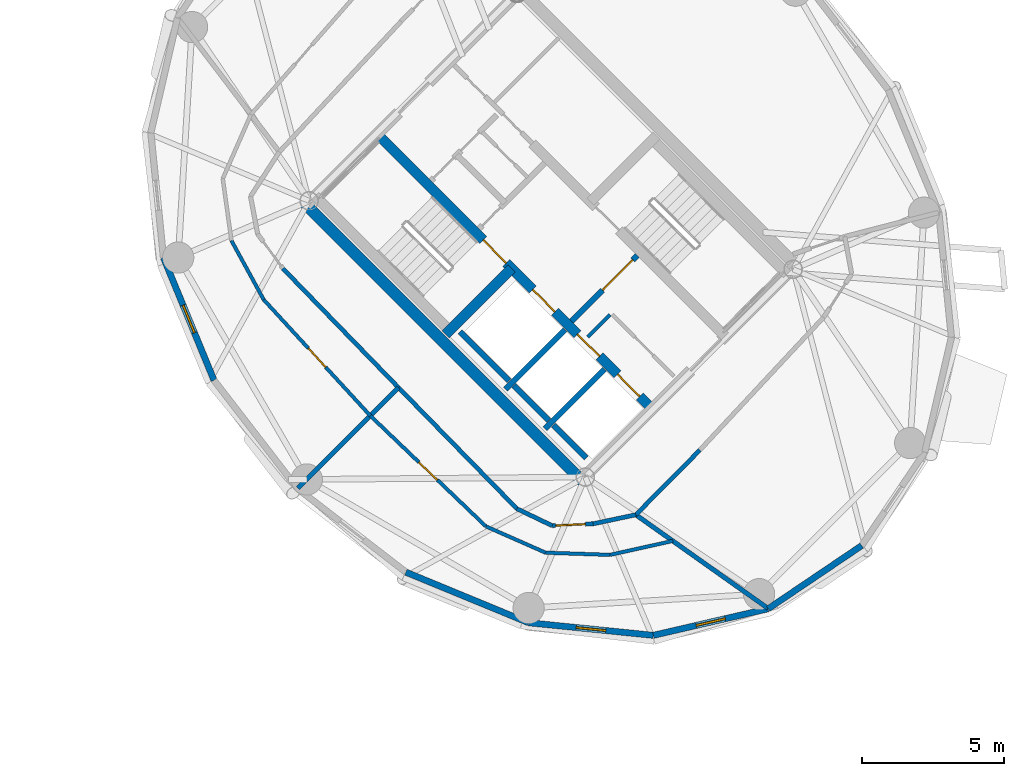
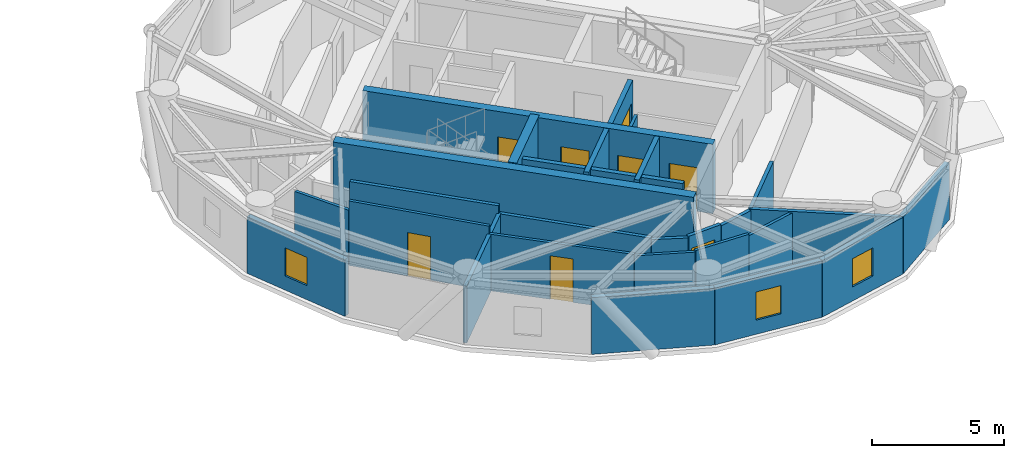
# One storey, part 11 of 17: 29 walls, 8 doors, 3 windows, 11 openings.
"""IFC4 building model written with IfcOpenShell, lengths in metres."""

from ifc_helpers import new_model, si_unit, direction, frame, frame_2d, origin, place, context, subcontext, project, spatial, rectangle, extrude, source, transform, mapped, material, layer, layer_set, type_object, element, fill, save


model = new_model("IFC4")

# Units and contexts
model_context = context("Model", 3, precision=1e-05, world=origin(), true_north=direction((0.0, 1.0)))
body_context = subcontext(model_context, "Body", "Model", "MODEL_VIEW")
ifc_project = project(units=[si_unit("LENGTHUNIT", "METRE"), si_unit("AREAUNIT", "SQUARE_METRE"), si_unit("VOLUMEUNIT", "CUBIC_METRE"), si_unit("PLANEANGLEUNIT", "RADIAN"), si_unit("MASSUNIT", "GRAM", prefix="KILO")], contexts=[model_context])

# Site, building, storey
site_placement = place(None, origin())
site = spatial("IfcSite", under=ifc_project, at=site_placement, CompositionType="ELEMENT")
building_placement = place(site_placement, origin())
building = spatial("IfcBuilding", under=site, at=building_placement, Name="Cununo Teusaquillo Station Towers", CompositionType="ELEMENT")
storey_placement = place(building_placement, frame((0.0, 0.0, 222.85009765625)))
storey = spatial("IfcBuildingStorey", under=building, at=storey_placement, Name="L71", CompositionType="ELEMENT", Elevation=222.85009765625)

# Walls
ifc_material_1 = material(Name="Concrete C50/60", Category="concrete")
ifc_layer_1 = layer(ifc_material_1, 0.199951171875)
ifc_layer_set_1 = layer_set([ifc_layer_1], Name="Concrete C50/60")
wall_type_1 = type_object("IfcWallType", Name="WL-CORE-200", PredefinedType="SHEAR", material=ifc_layer_set_1)
wall_1_placement = place(storey_placement, frame((55.8876953125, 19.0693359375, 0.0), z_axis=(0.0, 0.0, 1.0), x_axis=(0.707106781187, 0.707106781187, 0.0)))
element("IfcWall", 1, at=wall_1_placement, inside=storey, type_object=wall_type_1, Name="L71 Tower B Firefighting Lift Shaft South Shear Wall", PredefinedType="SHEAR", context=body_context, shape_type="SweptSolid", body=[
    extrude(rectangle(XDim=2.969970703125, YDim=0.199951171875, at=frame_2d((1.48486328125, 0.0))), origin(), (0.0, 0.0, 1.0), 3.199951171875),
])
wall_2_placement = place(storey_placement, frame((56.01513671875, 19.366455078125, 0.0), z_axis=(0.0, 0.0, 1.0), x_axis=(-0.707106781187, 0.707106781187, 0.0)))
element("IfcWall", 2, at=wall_2_placement, inside=storey, type_object=wall_type_1, Name="L71 Tower B Firefighting Lift Shaft Rear Shear Wall", PredefinedType="SHEAR", context=body_context, shape_type="SweptSolid", body=[
    extrude(rectangle(XDim=2.43994140625, YDim=0.199951171875, at=frame_2d((1.219970703125, 0.0))), origin(), (0.0, 0.0, 1.0), 3.199951171875),
])
wall_3_placement = place(storey_placement, frame((57.2841796875, 17.6728515625, 0.0), z_axis=(0.0, 0.0, 1.0), x_axis=(0.707147878904, 0.70706568108, 0.0)))
element("IfcWall", 3, at=wall_3_placement, inside=storey, type_object=wall_type_1, Name="L71 Tower B High-Rise Lift Hoistway Divider Shear Wall", PredefinedType="SHEAR", context=body_context, shape_type="SweptSolid", body=[
    extrude(rectangle(XDim=2.97021484375, YDim=0.199951171875, at=frame_2d((1.485107421875, 0.0))), origin(), (0.0, 0.0, 1.0), 3.199951171875),
])
wall_4_placement = place(storey_placement, frame((57.41162109375, 17.969970703125, 0.0), z_axis=(0.0, 0.0, 1.0), x_axis=(-0.707106781187, 0.707106781187, 0.0)))
element("IfcWall", 4, at=wall_4_placement, inside=storey, type_object=wall_type_1, Name="L71 Tower B High-Rise Lift 2 Shaft Rear Shear Wall", PredefinedType="SHEAR", context=body_context, shape_type="SweptSolid", body=[
    extrude(rectangle(XDim=1.73486328125, YDim=0.199951171875, at=frame_2d((0.867431640625, 0.0))), origin(), (0.0, 0.0, 1.0), 3.199951171875),
])
wall_5_placement = place(storey_placement, frame((58.7373046875, 16.64404296875, 0.0), z_axis=(0.0, 0.0, 1.0), x_axis=(-0.707032117043, 0.707181437447, 0.0)))
element("IfcWall", 5, at=wall_5_placement, inside=storey, type_object=wall_type_1, Name="L71 Tower B High-Rise Lift 1 Shaft Rear Shear Wall", PredefinedType="SHEAR", context=body_context, shape_type="SweptSolid", body=[
    extrude(rectangle(XDim=1.635009765625, YDim=0.199951171875, at=frame_2d((0.8173828125, 0.0))), origin(), (0.0, 0.0, 1.0), 3.199951171875),
])

# Wall, openings, doors
ifc_material_2 = material(Name="Concrete C50/60", Category="concrete")
ifc_layer_2 = layer(ifc_material_2, 0.35009765625)
ifc_layer_set_2 = layer_set([ifc_layer_2], Name="Concrete C50/60")
wall_type_2 = type_object("IfcWallType", Name="WL-CORE-350", PredefinedType="SHEAR", material=ifc_layer_set_2)
wall_6_placement = place(storey_placement, frame((61.060302734375, 18.372802734375, 0.0), z_axis=(0.0, 0.0, 1.0), x_axis=(-0.707106781187, 0.707106781187, 0.0)))
wall_6 = element("IfcWall", 6, at=wall_6_placement, inside=storey, type_object=wall_type_2, Name="L71 Tower B Core Shear Wall IW", PredefinedType="SHEAR", context=body_context, shape_type="SweptSolid", body=[
    extrude(rectangle(XDim=13.7001953125, YDim=0.35009765625, at=frame_2d((6.85009765625, 0.0))), origin(), (0.0, 0.0, 1.0), 3.199951171875),
])
shared_shape_1 = source(origin(), body_context, "Body", "SweptSolid", [
    extrude(rectangle(XDim=1.10009765625, YDim=2.014892578125, at=frame_2d((0.550048828125, 1.00732421875))), frame((0.0, 0.18505859375, 0.0), z_axis=(0.0, -1.0, 0.0), x_axis=(1.0, 0.0, 0.0)), (0.0, 0.0, 1.0), 0.3701171875),
])
opening_1_placement = place(wall_6_placement, frame((4.85009765625, 0.0, 0.0)))
opening_1 = element("IfcOpeningElement", 7, at=opening_1_placement, cuts=wall_6, Name="Opening LD-01", PredefinedType="OPENING", context=body_context, shape_type="MappedRepresentation", body=[
    mapped(shared_shape_1, transform((0.0, 0.0, 0.0), x_axis=(1.0, 0.0, 0.0), y_axis=(0.0, 1.0, 0.0), z_axis=(0.0, 0.0, 1.0), scale=1.0)),
])
opening_2_placement = place(wall_6_placement, frame((0.625, 0.0, 0.0)))
opening_2 = element("IfcOpeningElement", 8, at=opening_2_placement, cuts=wall_6, Name="Opening LD-01", PredefinedType="OPENING", context=body_context, shape_type="MappedRepresentation", body=[
    mapped(shared_shape_1, transform((0.0, 0.0, 0.0), x_axis=(1.0, 0.0, 0.0), y_axis=(0.0, 1.0, 0.0), z_axis=(0.0, 0.0, 1.0), scale=1.0)),
])
opening_3_placement = place(wall_6_placement, frame((2.625, 0.0, 0.0)))
opening_3 = element("IfcOpeningElement", 9, at=opening_3_placement, cuts=wall_6, Name="Opening LD-01", PredefinedType="OPENING", context=body_context, shape_type="MappedRepresentation", body=[
    mapped(shared_shape_1, transform((0.0, 0.0, 0.0), x_axis=(1.0, 0.0, 0.0), y_axis=(0.0, 1.0, 0.0), z_axis=(0.0, 0.0, 1.0), scale=1.0)),
])
shared_shape_2 = source(origin(), body_context, "Body", "SweptSolid", [
    extrude(rectangle(XDim=1.14990234375, YDim=2.02001953125, at=frame_2d((0.574951171875, 1.010009765625))), frame((0.0, 0.18505859375, 0.0), z_axis=(0.0, -1.0, 0.0), x_axis=(1.0, 0.0, 0.0)), (0.0, 0.0, 1.0), 0.3701171875),
])
opening_4_placement = place(wall_6_placement, frame((7.27001953125, 0.0, 0.0)))
opening_4 = element("IfcOpeningElement", 10, at=opening_4_placement, cuts=wall_6, Name="Opening D-ST1", PredefinedType="OPENING", context=body_context, shape_type="MappedRepresentation", body=[
    mapped(shared_shape_2, transform((0.0, 0.0, 0.0), x_axis=(1.0, 0.0, 0.0), y_axis=(0.0, 1.0, 0.0), z_axis=(0.0, 0.0, 1.0), scale=1.0)),
])
ifc_material_3 = material(Name="Galvanised fire-rated hollow steel door assembly", Category="steel")
door_type_1 = type_object("IfcDoorType", Name="DR-LIFT-1100", OperationType="SLIDING_TO_LEFT", PredefinedType="DOOR", material=ifc_material_3)
shared_shape_3 = source(origin(), body_context, "Body", "SweptSolid", [
    extrude(rectangle(XDim=1.10009765625, YDim=2.014892578125, at=frame_2d((0.550048828125, 1.00732421875))), frame((0.0, 0.02490234375, 0.0), z_axis=(0.0, -1.0, 0.0), x_axis=(1.0, 0.0, 0.0)), (0.0, 0.0, 1.0), 0.050048828125),
])
door_1_placement = place(opening_1_placement, origin())
door_1 = element("IfcDoor", 11, at=door_1_placement, inside=storey, type_object=door_type_1, Name="L71 Lift FL-T2 Sliding Landing Door", OperationType="SLIDING_TO_LEFT", OverallHeight=2.014892578125, OverallWidth=1.10009765625, PredefinedType="DOOR", context=body_context, shape_type="MappedRepresentation", body=[
    mapped(shared_shape_3, transform((0.0, 0.0, 0.0), x_axis=(1.0, 0.0, 0.0), y_axis=(0.0, 1.0, 0.0), z_axis=(0.0, 0.0, 1.0), scale=1.0)),
])
fill(opening_1, door_1)
door_2_placement = place(opening_2_placement, origin())
door_2 = element("IfcDoor", 12, at=door_2_placement, inside=storey, type_object=door_type_1, Name="L71 Lift PL-T2-H1 Sliding Landing Door", OperationType="SLIDING_TO_LEFT", OverallHeight=2.014892578125, OverallWidth=1.10009765625, PredefinedType="DOOR", context=body_context, shape_type="MappedRepresentation", body=[
    mapped(shared_shape_3, transform((0.0, 0.0, 0.0), x_axis=(1.0, 0.0, 0.0), y_axis=(0.0, 1.0, 0.0), z_axis=(0.0, 0.0, 1.0), scale=1.0)),
])
fill(opening_2, door_2)
door_3_placement = place(opening_3_placement, origin())
door_3 = element("IfcDoor", 13, at=door_3_placement, inside=storey, type_object=door_type_1, Name="L71 Lift PL-T2-H2 Sliding Landing Door", OperationType="SLIDING_TO_RIGHT", OverallHeight=2.014892578125, OverallWidth=1.10009765625, PredefinedType="DOOR", context=body_context, shape_type="MappedRepresentation", body=[
    mapped(shared_shape_3, transform((0.0, 0.0, 0.0), x_axis=(1.0, 0.0, 0.0), y_axis=(0.0, 1.0, 0.0), z_axis=(0.0, 0.0, 1.0), scale=1.0)),
])
fill(opening_3, door_3)
ifc_material_4 = material(Name="Galvanised fire-rated hollow steel door assembly", Category="steel")
door_type_2 = type_object("IfcDoorType", Name="DR-STAIR-1150", OperationType="NOTDEFINED", PredefinedType="DOOR", material=ifc_material_4)
shared_shape_4 = source(origin(), body_context, "Body", "SweptSolid", [
    extrude(rectangle(XDim=1.14990234375, YDim=2.02001953125, at=frame_2d((0.574951171875, 1.010009765625))), frame((0.0, 0.02490234375, 0.0), z_axis=(0.0, -1.0, 0.0), x_axis=(1.0, 0.0, 0.0)), (0.0, 0.0, 1.0), 0.050048828125),
])
door_4_placement = place(opening_4_placement, origin())
door_4 = element("IfcDoor", 14, at=door_4_placement, inside=storey, type_object=door_type_2, Name="L71 Tower B Exit Stair 1 Fire Door", OperationType="SINGLE_SWING_RIGHT", OverallHeight=2.02001953125, OverallWidth=1.14990234375, PredefinedType="DOOR", context=body_context, shape_type="MappedRepresentation", body=[
    mapped(shared_shape_4, transform((0.0, 0.0, 0.0), x_axis=(1.0, 0.0, 0.0), y_axis=(0.0, 1.0, 0.0), z_axis=(0.0, 0.0, 1.0), scale=1.0)),
])
fill(opening_4, door_4)

# Walls
wall_7_placement = place(storey_placement, frame((53.7841796875, 21.00341796875, 0.0), z_axis=(0.0, 0.0, 1.0), x_axis=(0.707106781187, 0.707106781187, 0.0)))
element("IfcWall", 15, at=wall_7_placement, inside=storey, type_object=wall_type_2, Name="L71 Tower B Core Shear Wall ST1S", PredefinedType="SHEAR", context=body_context, shape_type="SweptSolid", body=[
    extrude(rectangle(XDim=3.284912109375, YDim=0.35009765625, at=frame_2d((1.642578125, 0.0))), origin(), (0.0, 0.0, 1.0), 3.199951171875),
])
ifc_material_5 = material(Name="Concrete C50/60", Category="concrete")
ifc_layer_3 = layer(ifc_material_5, 0.39990234375)
ifc_layer_set_3 = layer_set([ifc_layer_3], Name="Concrete C50/60")
wall_type_3 = type_object("IfcWallType", Name="WL-CORE-400", PredefinedType="SHEAR", material=ifc_layer_set_3)
wall_8_placement = place(storey_placement, frame((58.7021484375, 15.73193359375, 0.0), z_axis=(0.0, 0.0, 1.0), x_axis=(-0.707106781187, 0.707106781187, 0.0)))
element("IfcWall", 16, at=wall_8_placement, inside=storey, type_object=wall_type_3, Name="L71 Tower B Core Shear Wall W", PredefinedType="SHEAR", context=body_context, shape_type="SweptSolid", body=[
    extrude(rectangle(XDim=14.10009765625, YDim=0.39990234375, at=frame_2d((7.050048828125, 0.0))), origin(), (0.0, 0.0, 1.0), 3.199951171875),
])

# Wall, opening, window
ifc_material_6 = material(Name="Precast concrete C40/50", Category="concrete")
ifc_layer_4 = layer(ifc_material_6, 0.219970703125)
ifc_layer_set_4 = layer_set([ifc_layer_4], Name="Precast concrete C40/50")
wall_type_4 = type_object("IfcWallType", Name="WL-EXT-220", PredefinedType="SOLIDWALL", material=ifc_layer_set_4)
wall_9_placement = place(storey_placement, frame((45.626220703125, 19.38671875, 0.0), z_axis=(0.0, 0.0, 1.0), x_axis=(-0.381309704956, 0.924447353237, 0.0)))
wall_9 = element("IfcWall", 17, at=wall_9_placement, inside=storey, type_object=wall_type_4, Name="L71 Tower B Exterior Facade Wall C08", PredefinedType="SOLIDWALL", context=body_context, shape_type="SweptSolid", body=[
    extrude(rectangle(XDim=4.670654296875, YDim=0.219970703125, at=frame_2d((2.33544921875, 0.0))), origin(), (0.0, 0.0, 1.0), 2.61181640625),
])
shared_shape_5 = source(origin(), body_context, "Body", "SweptSolid", [
    extrude(rectangle(XDim=1.050048828125, YDim=1.300048828125, at=frame_2d((0.52490234375, 0.64990234375))), frame((0.0, 0.119873046875, 0.0), z_axis=(0.0, -1.0, 0.0), x_axis=(1.0, 0.0, 0.0)), (0.0, 0.0, 1.0), 0.239990234375),
])
opening_5_placement = place(wall_9_placement, frame((1.81005859375, 0.0, 0.64990234375)))
opening_5 = element("IfcOpeningElement", 18, at=opening_5_placement, cuts=wall_9, Name="Opening WN-04", PredefinedType="OPENING", context=body_context, shape_type="MappedRepresentation", body=[
    mapped(shared_shape_5, transform((0.0, 0.0, 0.0), x_axis=(1.0, 0.0, 0.0), y_axis=(0.0, 1.0, 0.0), z_axis=(0.0, 0.0, 1.0), scale=1.0)),
])
ifc_material_7 = material(Name="Operable acoustic tinted low-E double glazing", Category="glass")
window_type = type_object("IfcWindowType", Name="WIN-BAL-1050", PartitioningType="SINGLE_PANEL", PredefinedType="WINDOW", material=ifc_material_7)
shared_shape_6 = source(origin(), body_context, "Body", "SweptSolid", [
    extrude(rectangle(XDim=1.050048828125, YDim=1.300048828125, at=frame_2d((0.52490234375, 0.64990234375))), frame((0.0, 0.030029296875, 0.0), z_axis=(0.0, -1.0, 0.0), x_axis=(1.0, 0.0, 0.0)), (0.0, 0.0, 1.0), 0.06005859375),
])
window_1_placement = place(opening_5_placement, origin())
window_1 = element("IfcWindow", 19, at=window_1_placement, inside=storey, type_object=window_type, Name="L71 Tower B Facade Window C08", OverallHeight=1.300048828125, OverallWidth=1.050048828125, PartitioningType="SINGLE_PANEL", PredefinedType="WINDOW", context=body_context, shape_type="MappedRepresentation", body=[
    mapped(shared_shape_6, transform((0.0, 0.0, 0.0), x_axis=(1.0, 0.0, 0.0), y_axis=(0.0, 1.0, 0.0), z_axis=(0.0, 0.0, 1.0), scale=1.0)),
])
fill(opening_5, window_1)

# Wall
wall_10_placement = place(storey_placement, frame((56.70458984375, 10.84521484375, 0.0), z_axis=(0.0, 0.0, 1.0), x_axis=(-0.924447353237, 0.381309704956, 0.0)))
element("IfcWall", 20, at=wall_10_placement, inside=storey, type_object=wall_type_4, Name="L71 Tower B Exterior Facade Wall C11", PredefinedType="SOLIDWALL", context=body_context, shape_type="SweptSolid", body=[
    extrude(rectangle(XDim=4.670654296875, YDim=0.219970703125, at=frame_2d((2.33544921875, 0.0))), origin(), (0.0, 0.0, 1.0), 2.61181640625),
])

# Wall, opening, window
wall_11_placement = place(storey_placement, frame((61.100341796875, 10.40087890625, 0.0), z_axis=(0.0, 0.0, 1.0), x_axis=(-0.994929930991, 0.100570534541, 0.0)))
wall_11 = element("IfcWall", 21, at=wall_11_placement, inside=storey, type_object=wall_type_4, Name="L71 Tower B Exterior Facade Wall C12", PredefinedType="SOLIDWALL", context=body_context, shape_type="SweptSolid", body=[
    extrude(rectangle(XDim=4.418212890625, YDim=0.219970703125, at=frame_2d((2.208984375, 0.0))), origin(), (0.0, 0.0, 1.0), 2.61181640625),
])
opening_6_placement = place(wall_11_placement, frame((1.68408203125, 0.0, 0.64990234375)))
opening_6 = element("IfcOpeningElement", 22, at=opening_6_placement, cuts=wall_11, Name="Opening WN-04", PredefinedType="OPENING", context=body_context, shape_type="MappedRepresentation", body=[
    mapped(shared_shape_5, transform((0.0, 0.0, 0.0), x_axis=(1.0, 0.0, 0.0), y_axis=(0.0, 1.0, 0.0), z_axis=(0.0, 0.0, 1.0), scale=1.0)),
])
window_2_placement = place(opening_6_placement, origin())
window_2 = element("IfcWindow", 23, at=window_2_placement, inside=storey, type_object=window_type, Name="L71 Tower B Facade Window C12", OverallHeight=1.300048828125, OverallWidth=1.050048828125, PartitioningType="SINGLE_PANEL", PredefinedType="WINDOW", context=body_context, shape_type="MappedRepresentation", body=[
    mapped(shared_shape_6, transform((0.0, 0.0, 0.0), x_axis=(1.0, 0.0, 0.0), y_axis=(0.0, 1.0, 0.0), z_axis=(0.0, 0.0, 1.0), scale=1.0)),
])
fill(opening_6, window_2)

wall_12_placement = place(storey_placement, frame((65.143798828125, 11.336669921875, 0.0), z_axis=(0.0, 0.0, 1.0), x_axis=(-0.974249228678, -0.225473813158, 0.0)))
wall_12 = element("IfcWall", 24, at=wall_12_placement, inside=storey, type_object=wall_type_4, Name="L71 Tower B Exterior Facade Wall C13", PredefinedType="SOLIDWALL", context=body_context, shape_type="SweptSolid", body=[
    extrude(rectangle(XDim=4.150390625, YDim=0.219970703125, at=frame_2d((2.0751953125, 0.0))), origin(), (0.0, 0.0, 1.0), 2.61181640625),
])
opening_7_placement = place(wall_12_placement, frame((1.550048828125, 0.0, 0.64990234375)))
opening_7 = element("IfcOpeningElement", 25, at=opening_7_placement, cuts=wall_12, Name="Opening WN-04", PredefinedType="OPENING", context=body_context, shape_type="MappedRepresentation", body=[
    mapped(shared_shape_5, transform((0.0, 0.0, 0.0), x_axis=(1.0, 0.0, 0.0), y_axis=(0.0, 1.0, 0.0), z_axis=(0.0, 0.0, 1.0), scale=1.0)),
])
window_3_placement = place(opening_7_placement, origin())
window_3 = element("IfcWindow", 26, at=window_3_placement, inside=storey, type_object=window_type, Name="L71 Tower B Facade Window C13", OverallHeight=1.300048828125, OverallWidth=1.050048828125, PartitioningType="SINGLE_PANEL", PredefinedType="WINDOW", context=body_context, shape_type="MappedRepresentation", body=[
    mapped(shared_shape_6, transform((0.0, 0.0, 0.0), x_axis=(1.0, 0.0, 0.0), y_axis=(0.0, 1.0, 0.0), z_axis=(0.0, 0.0, 1.0), scale=1.0)),
])
fill(opening_7, window_3)

# Walls
wall_13_placement = place(storey_placement, frame((68.43896484375, 13.56103515625, 0.0), z_axis=(0.0, 0.0, 1.0), x_axis=(-0.828833723692, -0.559495003079, 0.0)))
element("IfcWall", 27, at=wall_13_placement, inside=storey, type_object=wall_type_4, Name="L71 Tower B Exterior Facade Wall C14", PredefinedType="SOLIDWALL", context=body_context, shape_type="SweptSolid", body=[
    extrude(rectangle(XDim=3.9755859375, YDim=0.219970703125, at=frame_2d((1.98779296875, 0.0))), origin(), (0.0, 0.0, 1.0), 2.61181640625),
])
ifc_material_8 = material(Name="Fire-rated gypsum plasterboard partition assembly", Category="gypsum")
ifc_layer_5 = layer(ifc_material_8, 0.125)
ifc_layer_set_5 = layer_set([ifc_layer_5], Name="Fire-rated gypsum plasterboard partition assembly")
wall_type_5 = type_object("IfcWallType", Name="WL-PART-125", PredefinedType="PARTITIONING", material=ifc_layer_set_5)
wall_14_placement = place(storey_placement, frame((58.7939453125, 20.9150390625, 0.0), z_axis=(0.0, 0.0, 1.0), x_axis=(0.707106781187, 0.707106781187, 0.0)))
element("IfcWall", 28, at=wall_14_placement, inside=storey, type_object=wall_type_5, Name="L71 Tower B South-West Tall Store North Wall", PredefinedType="PARTITIONING", context=body_context, shape_type="SweptSolid", body=[
    extrude(rectangle(XDim=1.10009765625, YDim=0.125, at=frame_2d((0.550048828125, 0.0))), origin(), (0.0, 0.0, 1.0), 2.974853515625),
])
wall_15_placement = place(storey_placement, frame((46.239501953125, 24.306884765625, 0.0), z_axis=(0.0, 0.0, 1.0), x_axis=(0.479212341296, -0.87769899849, 0.0)))
element("IfcWall", 29, at=wall_15_placement, inside=storey, type_object=wall_type_5, Name="L71 Tower B Chef Tasting Counter & Wine Vault Concentric Partition Wall C08", PredefinedType="PARTITIONING", context=body_context, shape_type="SweptSolid", body=[
    extrude(rectangle(XDim=2.3740234375, YDim=0.125, at=frame_2d((1.18701171875, 0.0))), origin(), (0.0, 0.0, 1.0), 2.544921875),
])

# Wall, opening, door
wall_16_placement = place(storey_placement, frame((47.377197265625, 22.22314453125, 0.0), z_axis=(0.0, 0.0, 1.0), x_axis=(0.676554417653, -0.736392639802, 0.0)))
wall_16 = element("IfcWall", 30, at=wall_16_placement, inside=storey, type_object=wall_type_5, Name="L71 Tower B Chef Tasting Counter & Wine Vault Concentric Partition Wall C09", PredefinedType="PARTITIONING", context=body_context, shape_type="SweptSolid", body=[
    extrude(rectangle(XDim=5.552978515625, YDim=0.125, at=frame_2d((2.7763671875, 0.0))), origin(), (0.0, 0.0, 1.0), 2.974853515625),
])
shared_shape_7 = source(origin(), body_context, "Body", "SweptSolid", [
    extrude(rectangle(XDim=0.89990234375, YDim=2.0048828125, at=frame_2d((0.449951171875, 1.00244140625))), frame((0.0, 0.072509765625, 0.0), z_axis=(0.0, -1.0, 0.0), x_axis=(1.0, 0.0, 0.0)), (0.0, 0.0, 1.0), 0.14501953125),
])
opening_8_placement = place(wall_16_placement, frame((2.326416015625, 0.0, 0.0)))
opening_8 = element("IfcOpeningElement", 31, at=opening_8_placement, cuts=wall_16, Name="Opening D-IN1", PredefinedType="OPENING", context=body_context, shape_type="MappedRepresentation", body=[
    mapped(shared_shape_7, transform((0.0, 0.0, 0.0), x_axis=(1.0, 0.0, 0.0), y_axis=(0.0, 1.0, 0.0), z_axis=(0.0, 0.0, 1.0), scale=1.0)),
])
ifc_material_9 = material(Name="Acoustic solid-core hardwood leaf assembly", Category="wood")
door_type_3 = type_object("IfcDoorType", Name="DR-INT-900", OperationType="NOTDEFINED", PredefinedType="DOOR", material=ifc_material_9)
shared_shape_8 = source(origin(), body_context, "Body", "SweptSolid", [
    extrude(rectangle(XDim=0.89990234375, YDim=2.0048828125, at=frame_2d((0.449951171875, 1.00244140625))), frame((0.0, 0.02490234375, 0.0), z_axis=(0.0, -1.0, 0.0), x_axis=(1.0, 0.0, 0.0)), (0.0, 0.0, 1.0), 0.050048828125),
])
door_5_placement = place(opening_8_placement, origin())
door_5 = element("IfcDoor", 32, at=door_5_placement, inside=storey, type_object=door_type_3, Name="L71 Tower B Chef Tasting Counter & Wine Vault Connecting Door", OperationType="SINGLE_SWING_RIGHT", OverallHeight=2.0048828125, OverallWidth=0.89990234375, PredefinedType="DOOR", context=body_context, shape_type="MappedRepresentation", body=[
    mapped(shared_shape_8, transform((0.0, 0.0, 0.0), x_axis=(1.0, 0.0, 0.0), y_axis=(0.0, 1.0, 0.0), z_axis=(0.0, 0.0, 1.0), scale=1.0)),
])
fill(opening_8, door_5)

wall_17_placement = place(storey_placement, frame((51.134033203125, 18.134033203125, 0.0), z_axis=(0.0, 0.0, 1.0), x_axis=(0.722450775654, -0.691422357721, 0.0)))
wall_17 = element("IfcWall", 33, at=wall_17_placement, inside=storey, type_object=wall_type_5, Name="L71 Tower B Sabana Sunset Cocktail Lounge Concentric Partition Wall C10", PredefinedType="PARTITIONING", context=body_context, shape_type="SweptSolid", body=[
    extrude(rectangle(XDim=5.6337890625, YDim=0.125, at=frame_2d((2.81689453125, 0.0))), origin(), (0.0, 0.0, 1.0), 2.61181640625),
])
opening_9_placement = place(wall_17_placement, frame((2.366943359375, 0.0, 0.0)))
opening_9 = element("IfcOpeningElement", 34, at=opening_9_placement, cuts=wall_17, Name="Opening D-IN1", PredefinedType="OPENING", context=body_context, shape_type="MappedRepresentation", body=[
    mapped(shared_shape_7, transform((0.0, 0.0, 0.0), x_axis=(1.0, 0.0, 0.0), y_axis=(0.0, 1.0, 0.0), z_axis=(0.0, 0.0, 1.0), scale=1.0)),
])
door_6_placement = place(opening_9_placement, origin())
door_6 = element("IfcDoor", 35, at=door_6_placement, inside=storey, type_object=door_type_3, Name="L71 Tower B Sabana Sunset Cocktail Lounge Connecting Door", OperationType="SINGLE_SWING_RIGHT", OverallHeight=2.0048828125, OverallWidth=0.89990234375, PredefinedType="DOOR", context=body_context, shape_type="MappedRepresentation", body=[
    mapped(shared_shape_8, transform((0.0, 0.0, 0.0), x_axis=(1.0, 0.0, 0.0), y_axis=(0.0, 1.0, 0.0), z_axis=(0.0, 0.0, 1.0), scale=1.0)),
])
fill(opening_9, door_6)

# Walls
wall_18_placement = place(storey_placement, frame((55.2041015625, 14.23876953125, 0.0), z_axis=(0.0, 0.0, 1.0), x_axis=(0.914999746908, -0.403454412738, 0.0)))
element("IfcWall", 36, at=wall_18_placement, inside=storey, type_object=wall_type_5, Name="L71 Tower B Sabana Sunset Cocktail Lounge Concentric Partition Wall C11", PredefinedType="PARTITIONING", context=body_context, shape_type="SweptSolid", body=[
    extrude(rectangle(XDim=2.297119140625, YDim=0.125, at=frame_2d((1.1484375, 0.0))), origin(), (0.0, 0.0, 1.0), 2.544921875),
])
wall_19_placement = place(storey_placement, frame((57.305908203125, 13.31201171875, 0.0), z_axis=(0.0, 0.0, 1.0), x_axis=(0.999437122872, -0.033547539789, 0.0)))
element("IfcWall", 37, at=wall_19_placement, inside=storey, type_object=wall_type_5, Name="L71 Tower B Sabana Sunset Cocktail Lounge Concentric Partition Wall C12", PredefinedType="PARTITIONING", context=body_context, shape_type="SweptSolid", body=[
    extrude(rectangle(XDim=2.2705078125, YDim=0.125, at=frame_2d((1.13525390625, 0.0))), origin(), (0.0, 0.0, 1.0), 2.61181640625),
])
wall_20_placement = place(storey_placement, frame((59.5751953125, 13.23583984375, 0.0), z_axis=(0.0, 0.0, 1.0), x_axis=(0.97628336492, 0.216496631337, 0.0)))
element("IfcWall", 38, at=wall_20_placement, inside=storey, type_object=wall_type_5, Name="L71 Tower B Sabana Sunset Cocktail Lounge Concentric Partition Wall C13", PredefinedType="PARTITIONING", context=body_context, shape_type="SweptSolid", body=[
    extrude(rectangle(XDim=2.264404296875, YDim=0.125, at=frame_2d((1.13232421875, 0.0))), origin(), (0.0, 0.0, 1.0), 2.544921875),
])
ifc_material_10 = material(Name="Fire-rated gypsum plasterboard partition assembly", Category="gypsum")
ifc_layer_6 = layer(ifc_material_10, 0.14990234375)
ifc_layer_set_6 = layer_set([ifc_layer_6], Name="Fire-rated gypsum plasterboard partition assembly")
wall_type_6 = type_object("IfcWallType", Name="WL-PART-150", PredefinedType="PARTITIONING", material=ifc_layer_set_6)
wall_21_placement = place(storey_placement, frame((48.051513671875, 23.32275390625, 0.0), z_axis=(0.0, 0.0, 1.0), x_axis=(0.696573981306, -0.717484974454, 0.0)))
element("IfcWall", 39, at=wall_21_placement, inside=storey, type_object=wall_type_6, Name="L71 Tower B Corridor Ring Wall C09", PredefinedType="PARTITIONING", context=body_context, shape_type="SweptSolid", body=[
    extrude(rectangle(XDim=5.849365234375, YDim=0.14990234375, at=frame_2d((2.9248046875, 0.0))), origin(), (0.0, 0.0, 1.0), 2.974853515625),
])
wall_22_placement = place(storey_placement, frame((52.1259765625, 19.1259765625, 0.0), z_axis=(0.0, 0.0, 1.0), x_axis=(0.698979087027, -0.715142108884, 0.0)))
element("IfcWall", 40, at=wall_22_placement, inside=storey, type_object=wall_type_6, Name="L71 Tower B Corridor Ring Wall C10", PredefinedType="PARTITIONING", context=body_context, shape_type="SweptSolid", body=[
    extrude(rectangle(XDim=5.96630859375, YDim=0.14990234375, at=frame_2d((2.983154296875, 0.0))), origin(), (0.0, 0.0, 1.0), 2.61181640625),
])
wall_23_placement = place(storey_placement, frame((56.29638671875, 14.859130859375, 0.0), z_axis=(0.0, 0.0, 1.0), x_axis=(0.90178292445, -0.432189260823, 0.0)))
element("IfcWall", 41, at=wall_23_placement, inside=storey, type_object=wall_type_6, Name="L71 Tower B Corridor Ring Wall C11", PredefinedType="PARTITIONING", context=body_context, shape_type="SweptSolid", body=[
    extrude(rectangle(XDim=1.377197265625, YDim=0.14990234375, at=frame_2d((0.6884765625, 0.0))), origin(), (0.0, 0.0, 1.0), 2.544921875),
])

# Wall, opening, door
wall_24_placement = place(storey_placement, frame((57.538330078125, 14.263916015625, 0.0), z_axis=(0.0, 0.0, 1.0), x_axis=(0.99892990172, 0.046249880546, 0.0)))
wall_24 = element("IfcWall", 42, at=wall_24_placement, inside=storey, type_object=wall_type_6, Name="L71 Tower B Corridor Ring Wall C12", PredefinedType="PARTITIONING", context=body_context, shape_type="SweptSolid", body=[
    extrude(rectangle(XDim=1.4462890625, YDim=0.14990234375, at=frame_2d((0.72314453125, 0.0))), origin(), (0.0, 0.0, 1.0), 2.61181640625),
])
shared_shape_9 = source(origin(), body_context, "Body", "SweptSolid", [
    extrude(rectangle(XDim=1.050048828125, YDim=2.014892578125, at=frame_2d((0.52490234375, 1.00732421875))), frame((0.0, 0.0849609375, 0.0), z_axis=(0.0, -1.0, 0.0), x_axis=(1.0, 0.0, 0.0)), (0.0, 0.0, 1.0), 0.169921875),
])
opening_10_placement = place(wall_24_placement, frame((0.1201171875, 0.0, 0.0)))
opening_10 = element("IfcOpeningElement", 43, at=opening_10_placement, cuts=wall_24, Name="Opening D-SU1", PredefinedType="OPENING", context=body_context, shape_type="MappedRepresentation", body=[
    mapped(shared_shape_9, transform((0.0, 0.0, 0.0), x_axis=(1.0, 0.0, 0.0), y_axis=(0.0, 1.0, 0.0), z_axis=(0.0, 0.0, 1.0), scale=1.0)),
])
ifc_material_11 = material(Name="Acoustic solid-core hardwood leaf assembly", Category="wood")
door_type_4 = type_object("IfcDoorType", Name="DR-SUITE-1050", OperationType="NOTDEFINED", PredefinedType="DOOR", material=ifc_material_11)
shared_shape_10 = source(origin(), body_context, "Body", "SweptSolid", [
    extrude(rectangle(XDim=1.050048828125, YDim=2.014892578125, at=frame_2d((0.52490234375, 1.00732421875))), frame((0.0, 0.02490234375, 0.0), z_axis=(0.0, -1.0, 0.0), x_axis=(1.0, 0.0, 0.0)), (0.0, 0.0, 1.0), 0.050048828125),
])
door_7_placement = place(opening_10_placement, origin())
door_7 = element("IfcDoor", 44, at=door_7_placement, inside=storey, type_object=door_type_4, Name="L71 Tower B Sabana Sunset Cocktail Lounge Entrance Door", OperationType="SINGLE_SWING_LEFT", OverallHeight=2.014892578125, OverallWidth=1.050048828125, PredefinedType="DOOR", context=body_context, shape_type="MappedRepresentation", body=[
    mapped(shared_shape_10, transform((0.0, 0.0, 0.0), x_axis=(1.0, 0.0, 0.0), y_axis=(0.0, 1.0, 0.0), z_axis=(0.0, 0.0, 1.0), scale=1.0)),
])
fill(opening_10, door_7)

# Walls
wall_25_placement = place(storey_placement, frame((58.983154296875, 14.330810546875, 0.0), z_axis=(0.0, 0.0, 1.0), x_axis=(0.978328007546, 0.207061125397, 0.0)))
element("IfcWall", 45, at=wall_25_placement, inside=storey, type_object=wall_type_6, Name="L71 Tower B Corridor Ring Wall C13", PredefinedType="PARTITIONING", context=body_context, shape_type="SweptSolid", body=[
    extrude(rectangle(XDim=1.533935546875, YDim=0.14990234375, at=frame_2d((0.76708984375, 0.0))), origin(), (0.0, 0.0, 1.0), 2.544921875),
])
wall_26_placement = place(storey_placement, frame((60.48388671875, 14.6484375, 0.0), z_axis=(0.0, 0.0, 1.0), x_axis=(0.703398221944, 0.710795991383, 0.0)))
element("IfcWall", 46, at=wall_26_placement, inside=storey, type_object=wall_type_6, Name="L71 Tower B Corridor Ring Wall C14", PredefinedType="PARTITIONING", context=body_context, shape_type="SweptSolid", body=[
    extrude(rectangle(XDim=3.201171875, YDim=0.14990234375, at=frame_2d((1.6005859375, 0.0))), origin(), (0.0, 0.0, 1.0), 2.61181640625),
])
ifc_material_12 = material(Name="Fire-rated gypsum plasterboard partition assembly", Category="gypsum")
ifc_layer_7 = layer(ifc_material_12, 0.159912109375)
ifc_layer_set_7 = layer_set([ifc_layer_7], Name="Fire-rated gypsum plasterboard partition assembly")
wall_type_7 = type_object("IfcWallType", Name="WL-PART-160", PredefinedType="PARTITIONING", material=ifc_layer_set_7)
wall_27_placement = place(storey_placement, frame((52.1259765625, 19.1259765625, 0.0), z_axis=(0.0, 0.0, 1.0), x_axis=(-0.707106781187, -0.707106781187, 0.0)))
element("IfcWall", 47, at=wall_27_placement, inside=storey, type_object=wall_type_7, Name="L71 Tower B Radial Suite Partition R03", PredefinedType="PARTITIONING", context=body_context, shape_type="SweptSolid", body=[
    extrude(rectangle(XDim=5.009765625, YDim=0.159912109375, at=frame_2d((2.5048828125, 0.0))), origin(), (0.0, 0.0, 1.0), 2.61181640625),
])
wall_28_placement = place(storey_placement, frame((60.48388671875, 14.6484375, 0.0), z_axis=(0.0, 0.0, 1.0), x_axis=(0.81605983932, -0.577967420058, 0.0)))
element("IfcWall", 48, at=wall_28_placement, inside=storey, type_object=wall_type_7, Name="L71 Tower B Radial Suite Partition R04", PredefinedType="PARTITIONING", context=body_context, shape_type="SweptSolid", body=[
    extrude(rectangle(XDim=5.69921875, YDim=0.159912109375, at=frame_2d((2.849609375, 0.0))), origin(), (0.0, 0.0, 1.0), 2.61181640625),
])

# Wall, opening, door
ifc_material_13 = material(Name="Fire-rated gypsum plasterboard partition assembly", Category="gypsum")
ifc_layer_8 = layer(ifc_material_13, 0.199951171875)
ifc_layer_set_8 = layer_set([ifc_layer_8], Name="Fire-rated gypsum plasterboard partition assembly")
wall_type_8 = type_object("IfcWallType", Name="WL-PART-200", PredefinedType="PARTITIONING", material=ifc_layer_set_8)
wall_29_placement = place(storey_placement, frame((58.214111328125, 21.466552734375, 0.0), z_axis=(0.0, 0.0, 1.0), x_axis=(0.707106781187, 0.707106781187, 0.0)))
wall_29 = element("IfcWall", 49, at=wall_29_placement, inside=storey, type_object=wall_type_8, Name="L71 Tower B Firefighting Lift Lobby South Fire Wall", PredefinedType="PARTITIONING", context=body_context, shape_type="SweptSolid", body=[
    extrude(rectangle(XDim=3.280029296875, YDim=0.199951171875, at=frame_2d((1.64013671875, 0.0))), origin(), (0.0, 0.0, 1.0), 2.974853515625),
])
shared_shape_11 = source(origin(), body_context, "Body", "SweptSolid", [
    extrude(rectangle(XDim=1.5, YDim=2.02001953125, at=frame_2d((0.75, 1.010009765625))), frame((0.0, 0.10986328125, 0.0), z_axis=(0.0, -1.0, 0.0), x_axis=(1.0, 0.0, 0.0)), (0.0, 0.0, 1.0), 0.219970703125),
])
opening_11_placement = place(wall_29_placement, frame((1.550048828125, 0.0, 0.0)))
opening_11 = element("IfcOpeningElement", 50, at=opening_11_placement, cuts=wall_29, Name="Opening D-LB1", PredefinedType="OPENING", context=body_context, shape_type="MappedRepresentation", body=[
    mapped(shared_shape_11, transform((0.0, 0.0, 0.0), x_axis=(1.0, 0.0, 0.0), y_axis=(0.0, 1.0, 0.0), z_axis=(0.0, 0.0, 1.0), scale=1.0)),
])
ifc_material_14 = material(Name="Galvanised fire-rated hollow steel door assembly", Category="steel")
door_type_5 = type_object("IfcDoorType", Name="DR-LOBBY-1500", OperationType="DOUBLE_DOOR_SINGLE_SWING", PredefinedType="DOOR", material=ifc_material_14)
shared_shape_12 = source(origin(), body_context, "Body", "SweptSolid", [
    extrude(rectangle(XDim=1.5, YDim=2.02001953125, at=frame_2d((0.75, 1.010009765625))), frame((0.0, 0.02490234375, 0.0), z_axis=(0.0, -1.0, 0.0), x_axis=(1.0, 0.0, 0.0)), (0.0, 0.0, 1.0), 0.050048828125),
])
door_8_placement = place(opening_11_placement, origin())
door_8 = element("IfcDoor", 51, at=door_8_placement, inside=storey, type_object=door_type_5, Name="L71 Tower B Firefighting Lift Lobby South Fire Door", OperationType="DOUBLE_DOOR_SINGLE_SWING", OverallHeight=2.02001953125, OverallWidth=1.5, PredefinedType="DOOR", context=body_context, shape_type="MappedRepresentation", body=[
    mapped(shared_shape_12, transform((0.0, 0.0, 0.0), x_axis=(1.0, 0.0, 0.0), y_axis=(0.0, 1.0, 0.0), z_axis=(0.0, 0.0, 1.0), scale=1.0)),
])
fill(opening_11, door_8)

save(model, "model.ifc")
